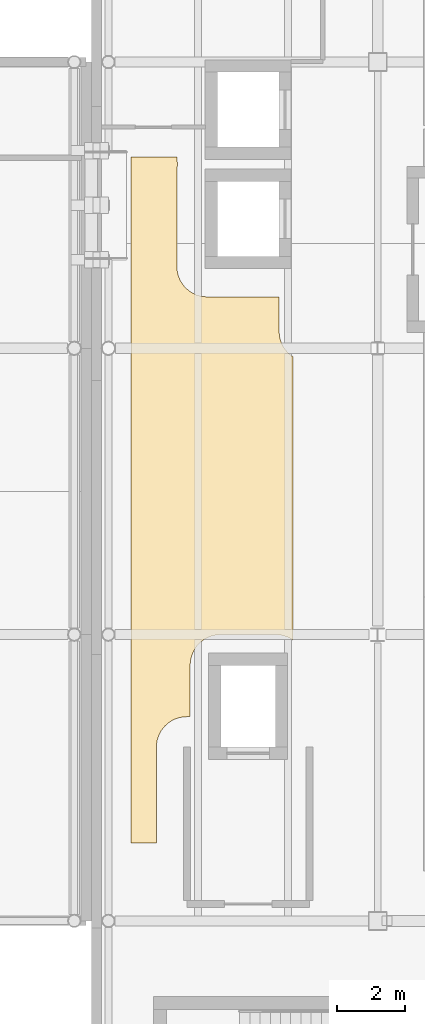
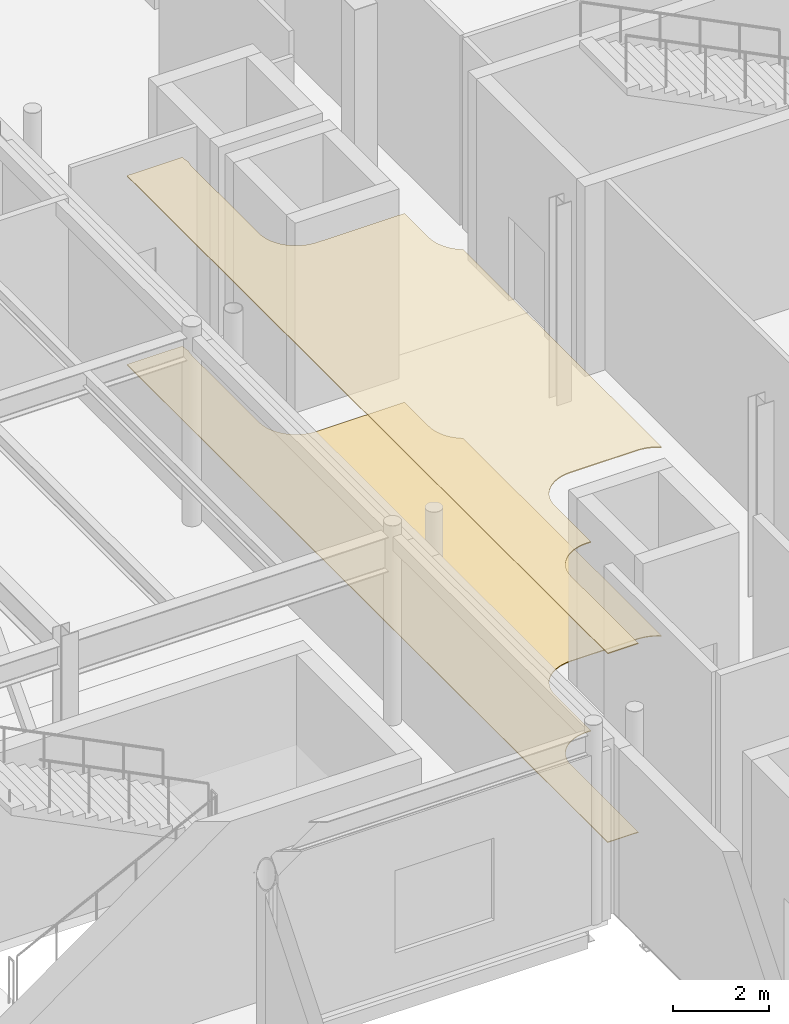
# One storey, part 95 of 103: 2 coverings.
"""IFC4 building model written with IfcOpenShell, lengths in metres."""

from ifc_helpers import new_model, si_unit, direction, frame, origin, place, context, subcontext, project, spatial, polyline, outline, extrude, material, layer, layer_set, type_object, element, save


model = new_model("IFC4")

# Units and contexts
model_context = context("Model", 3, precision=1e-05, world=origin(), true_north=direction((0.0, 1.0)))
body_context = subcontext(model_context, "Body", "Model", "MODEL_VIEW")
ifc_project = project(units=[si_unit("LENGTHUNIT", "METRE"), si_unit("AREAUNIT", "SQUARE_METRE"), si_unit("VOLUMEUNIT", "CUBIC_METRE"), si_unit("PLANEANGLEUNIT", "RADIAN"), si_unit("MASSUNIT", "GRAM", prefix="KILO"), si_unit("THERMODYNAMICTEMPERATUREUNIT", "KELVIN")], contexts=[model_context])

# Site, building, storey
site_placement = place(None, origin())
site = spatial("IfcSite", under=ifc_project, at=site_placement, CompositionType="ELEMENT")
building_placement = place(site_placement, origin())
building = spatial("IfcBuilding", under=site, at=building_placement, Name="Lustrewick Department Store", CompositionType="ELEMENT")
storey_placement = place(building_placement, frame((0.0, 0.0, 16.5)))
storey = spatial("IfcBuildingStorey", under=building, at=storey_placement, Name="L04", CompositionType="ELEMENT", Elevation=16.5)

# Coverings
ifc_material_1 = material(Name="Perforated mineral-fibre acoustic ceiling board", Category="gypsum")
ifc_layer_1 = layer(ifc_material_1, 0.02490234375, Name="Perforated mineral-fibre acoustic ceiling board")
ifc_layer_set_1 = layer_set([ifc_layer_1], Name="Perforated mineral-fibre acoustic ceiling board")
covering_type_1 = type_object("IfcCoveringType", Name="COV-CEIL", PredefinedType="CEILING", material=ifc_layer_set_1)
covering_1_placement = place(storey_placement, frame((0.0, 0.0, 4.820068359375)))
element("IfcCovering", 1, at=covering_1_placement, inside=storey, type_object=covering_type_1, Name="L04 V4 Merchandise Display Alcove 1 Acoustic Ceiling", PredefinedType="CEILING", context=body_context, shape_type="SweptSolid", body=[
    extrude(outline(polyline([(110.3701171875, 61.090087890625), (111.110107421875, 61.090087890625), (111.110107421875, 63.903076171875), (111.1142578125, 63.98779296875), (111.126708984375, 64.071533203125), (111.12744140625, 64.074951171875), (111.131103515625, 64.092529296875), (111.1318359375, 64.095703125), (111.154541015625, 64.178466796875), (111.185302734375, 64.258544921875), (111.1865234375, 64.26123046875), (111.187744140625, 64.263671875), (111.22119140625, 64.33056640625), (111.223388671875, 64.33447265625), (111.260986328125, 64.39599609375), (111.303466796875, 64.4541015625), (111.30712890625, 64.45849609375), (111.37060546875, 64.529296875), (111.44140625, 64.593017578125), (111.446044921875, 64.596435546875), (111.504150390625, 64.63916015625), (111.565673828125, 64.6767578125), (111.569580078125, 64.678955078125), (111.63623046875, 64.712158203125), (111.6416015625, 64.714599609375), (111.721435546875, 64.74560546875), (111.80419921875, 64.768310546875), (111.8076171875, 64.768798828125), (111.824951171875, 64.772705078125), (111.828369140625, 64.773193359375), (111.912353515625, 64.785888671875), (111.9970703125, 64.7900390625), (112.10009765625, 64.7900390625), (112.10009765625, 66.301025390625), (112.10107421875, 66.343017578125), (112.101318359375, 66.34814453125), (112.110595703125, 66.43701171875), (112.111572265625, 66.443115234375), (112.12890625, 66.52587890625), (112.130126953125, 66.53076171875), (112.1416015625, 66.56982421875), (112.142822265625, 66.574462890625), (112.169677734375, 66.6474609375), (112.202880859375, 66.7177734375), (112.205078125, 66.721923828125), (112.223388671875, 66.7548828125), (112.2255859375, 66.758544921875), (112.25732421875, 66.80859375), (112.260498046875, 66.812744140625), (112.307861328125, 66.87548828125), (112.361083984375, 66.93359375), (112.3662109375, 66.93896484375), (112.424560546875, 66.9921875), (112.4873046875, 67.03955078125), (112.491455078125, 67.04248046875), (112.54150390625, 67.074462890625), (112.545166015625, 67.07666015625), (112.578125, 67.094970703125), (112.582275390625, 67.09716796875), (112.652587890625, 67.13037109375), (112.7255859375, 67.156982421875), (112.72998046875, 67.158447265625), (112.769287109375, 67.169921875), (112.774169921875, 67.171142578125), (112.85693359375, 67.1884765625), (112.86279296875, 67.189453125), (112.951904296875, 67.19873046875), (112.95703125, 67.198974609375), (112.9990234375, 67.199951171875), (114.60107421875, 67.199951171875), (114.642822265625, 67.198974609375), (114.648193359375, 67.19873046875), (114.737060546875, 67.189453125), (114.7431640625, 67.1884765625), (114.825927734375, 67.171142578125), (114.830810546875, 67.169921875), (114.869873046875, 67.158447265625), (114.87451171875, 67.156982421875), (114.947509765625, 67.13037109375), (115.017822265625, 67.09716796875), (115.02197265625, 67.094970703125), (115.0546875, 67.07666015625), (115.05859375, 67.074462890625), (115.1083984375, 67.04248046875), (115.110107421875, 67.04150390625), (115.110107421875, 75.357177734375), (115.10400390625, 75.36083984375), (115.0458984375, 75.403564453125), (115.04150390625, 75.406982421875), (114.970703125, 75.470703125), (114.906982421875, 75.54150390625), (114.903564453125, 75.5458984375), (114.86083984375, 75.60400390625), (114.8232421875, 75.66552734375), (114.821044921875, 75.66943359375), (114.787841796875, 75.736328125), (114.785400390625, 75.741455078125), (114.75439453125, 75.821533203125), (114.731689453125, 75.904296875), (114.731201171875, 75.907470703125), (114.727294921875, 75.925048828125), (114.726806640625, 75.928466796875), (114.714111328125, 76.01220703125), (114.7099609375, 76.096923828125), (114.7099609375, 77.110107421875), (112.596923828125, 77.110107421875), (112.51220703125, 77.1142578125), (112.428466796875, 77.126708984375), (112.425048828125, 77.12744140625), (112.407470703125, 77.131103515625), (112.404296875, 77.1318359375), (112.321533203125, 77.154541015625), (112.241455078125, 77.185302734375), (112.23876953125, 77.1865234375), (112.236328125, 77.187744140625), (112.16943359375, 77.22119140625), (112.16552734375, 77.223388671875), (112.10400390625, 77.260986328125), (112.0458984375, 77.303466796875), (112.04150390625, 77.30712890625), (111.970703125, 77.37060546875), (111.906982421875, 77.44140625), (111.903564453125, 77.446044921875), (111.86083984375, 77.504150390625), (111.8232421875, 77.565673828125), (111.821044921875, 77.569580078125), (111.787841796875, 77.63623046875), (111.785400390625, 77.6416015625), (111.75439453125, 77.721435546875), (111.731689453125, 77.80419921875), (111.731201171875, 77.8076171875), (111.727294921875, 77.824951171875), (111.726806640625, 77.828369140625), (111.714111328125, 77.912353515625), (111.7099609375, 77.9970703125), (111.7099609375, 80.802978515625), (111.714111328125, 80.8876953125), (111.726806640625, 80.9716796875), (111.727294921875, 80.97509765625), (111.731201171875, 80.992431640625), (111.731689453125, 80.99560546875), (111.73291015625, 81.0), (111.731689453125, 81.00439453125), (111.731201171875, 81.007568359375), (111.727294921875, 81.02490234375), (111.726806640625, 81.0283203125), (111.714111328125, 81.1123046875), (111.7099609375, 81.197021484375), (111.7099609375, 81.208740234375), (110.3701171875, 81.208740234375), (110.3701171875, 61.090087890625)])), origin(), (0.0, 0.0, 1.0), 0.02490234375),
])
ifc_material_2 = material(Name="Polished terrazzo and porcelain floor finish", Category="masonry")
ifc_layer_2 = layer(ifc_material_2, 0.02001953125, Name="Polished terrazzo and porcelain floor finish")
ifc_layer_set_2 = layer_set([ifc_layer_2], Name="Polished terrazzo and porcelain floor finish")
covering_type_2 = type_object("IfcCoveringType", Name="COV-FLR", PredefinedType="FLOORING", material=ifc_layer_set_2)
covering_2_placement = place(storey_placement, origin())
element("IfcCovering", 2, at=covering_2_placement, inside=storey, type_object=covering_type_2, Name="L04 V4 Merchandise Display Alcove 1 Terrazzo Flooring", PredefinedType="FLOORING", context=body_context, shape_type="SweptSolid", body=[
    extrude(outline(polyline([(110.3701171875, 61.090087890625), (111.110107421875, 61.090087890625), (111.110107421875, 63.903076171875), (111.1142578125, 63.98779296875), (111.126708984375, 64.071533203125), (111.12744140625, 64.074951171875), (111.131103515625, 64.092529296875), (111.1318359375, 64.095703125), (111.154541015625, 64.178466796875), (111.185302734375, 64.258544921875), (111.1865234375, 64.26123046875), (111.187744140625, 64.263671875), (111.22119140625, 64.33056640625), (111.223388671875, 64.33447265625), (111.260986328125, 64.39599609375), (111.303466796875, 64.4541015625), (111.30712890625, 64.45849609375), (111.37060546875, 64.529296875), (111.44140625, 64.593017578125), (111.446044921875, 64.596435546875), (111.504150390625, 64.63916015625), (111.565673828125, 64.6767578125), (111.569580078125, 64.678955078125), (111.63623046875, 64.712158203125), (111.6416015625, 64.714599609375), (111.721435546875, 64.74560546875), (111.80419921875, 64.768310546875), (111.8076171875, 64.768798828125), (111.824951171875, 64.772705078125), (111.828369140625, 64.773193359375), (111.912353515625, 64.785888671875), (111.9970703125, 64.7900390625), (112.10009765625, 64.7900390625), (112.10009765625, 66.301025390625), (112.10107421875, 66.343017578125), (112.101318359375, 66.34814453125), (112.110595703125, 66.43701171875), (112.111572265625, 66.443115234375), (112.12890625, 66.52587890625), (112.130126953125, 66.53076171875), (112.1416015625, 66.56982421875), (112.142822265625, 66.574462890625), (112.169677734375, 66.6474609375), (112.202880859375, 66.7177734375), (112.205078125, 66.721923828125), (112.223388671875, 66.7548828125), (112.2255859375, 66.758544921875), (112.25732421875, 66.80859375), (112.260498046875, 66.812744140625), (112.307861328125, 66.87548828125), (112.361083984375, 66.93359375), (112.3662109375, 66.93896484375), (112.424560546875, 66.9921875), (112.4873046875, 67.03955078125), (112.491455078125, 67.04248046875), (112.54150390625, 67.074462890625), (112.545166015625, 67.07666015625), (112.578125, 67.094970703125), (112.582275390625, 67.09716796875), (112.652587890625, 67.13037109375), (112.7255859375, 67.156982421875), (112.72998046875, 67.158447265625), (112.769287109375, 67.169921875), (112.774169921875, 67.171142578125), (112.85693359375, 67.1884765625), (112.86279296875, 67.189453125), (112.951904296875, 67.19873046875), (112.95703125, 67.198974609375), (112.9990234375, 67.199951171875), (114.60107421875, 67.199951171875), (114.642822265625, 67.198974609375), (114.648193359375, 67.19873046875), (114.737060546875, 67.189453125), (114.7431640625, 67.1884765625), (114.825927734375, 67.171142578125), (114.830810546875, 67.169921875), (114.869873046875, 67.158447265625), (114.87451171875, 67.156982421875), (114.947509765625, 67.13037109375), (115.017822265625, 67.09716796875), (115.02197265625, 67.094970703125), (115.0546875, 67.07666015625), (115.05859375, 67.074462890625), (115.1083984375, 67.04248046875), (115.110107421875, 67.04150390625), (115.110107421875, 75.357177734375), (115.10400390625, 75.36083984375), (115.0458984375, 75.403564453125), (115.04150390625, 75.406982421875), (114.970703125, 75.470703125), (114.906982421875, 75.54150390625), (114.903564453125, 75.5458984375), (114.86083984375, 75.60400390625), (114.8232421875, 75.66552734375), (114.821044921875, 75.66943359375), (114.787841796875, 75.736328125), (114.785400390625, 75.741455078125), (114.75439453125, 75.821533203125), (114.731689453125, 75.904296875), (114.731201171875, 75.907470703125), (114.727294921875, 75.925048828125), (114.726806640625, 75.928466796875), (114.714111328125, 76.01220703125), (114.7099609375, 76.096923828125), (114.7099609375, 77.110107421875), (112.596923828125, 77.110107421875), (112.51220703125, 77.1142578125), (112.428466796875, 77.126708984375), (112.425048828125, 77.12744140625), (112.407470703125, 77.131103515625), (112.404296875, 77.1318359375), (112.321533203125, 77.154541015625), (112.241455078125, 77.185302734375), (112.23876953125, 77.1865234375), (112.236328125, 77.187744140625), (112.16943359375, 77.22119140625), (112.16552734375, 77.223388671875), (112.10400390625, 77.260986328125), (112.0458984375, 77.303466796875), (112.04150390625, 77.30712890625), (111.970703125, 77.37060546875), (111.906982421875, 77.44140625), (111.903564453125, 77.446044921875), (111.86083984375, 77.504150390625), (111.8232421875, 77.565673828125), (111.821044921875, 77.569580078125), (111.787841796875, 77.63623046875), (111.785400390625, 77.6416015625), (111.75439453125, 77.721435546875), (111.731689453125, 77.80419921875), (111.731201171875, 77.8076171875), (111.727294921875, 77.824951171875), (111.726806640625, 77.828369140625), (111.714111328125, 77.912353515625), (111.7099609375, 77.9970703125), (111.7099609375, 80.802978515625), (111.714111328125, 80.8876953125), (111.726806640625, 80.9716796875), (111.727294921875, 80.97509765625), (111.731201171875, 80.992431640625), (111.731689453125, 80.99560546875), (111.73291015625, 81.0), (111.731689453125, 81.00439453125), (111.731201171875, 81.007568359375), (111.727294921875, 81.02490234375), (111.726806640625, 81.0283203125), (111.714111328125, 81.1123046875), (111.7099609375, 81.197021484375), (111.7099609375, 81.208740234375), (110.3701171875, 81.208740234375), (110.3701171875, 61.090087890625)])), origin(), (0.0, 0.0, 1.0), 0.02001953125),
])

save(model, "model.ifc")
